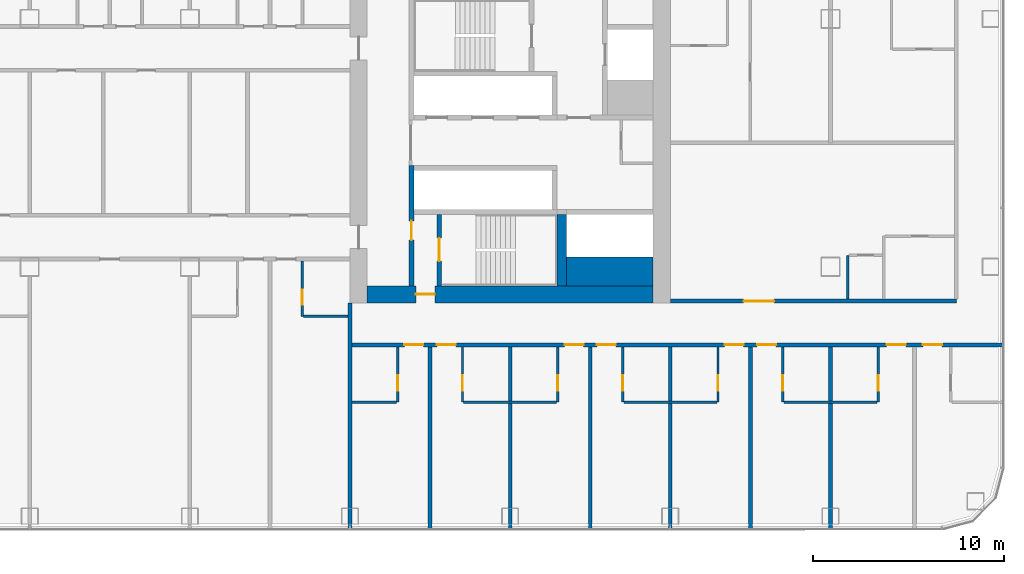
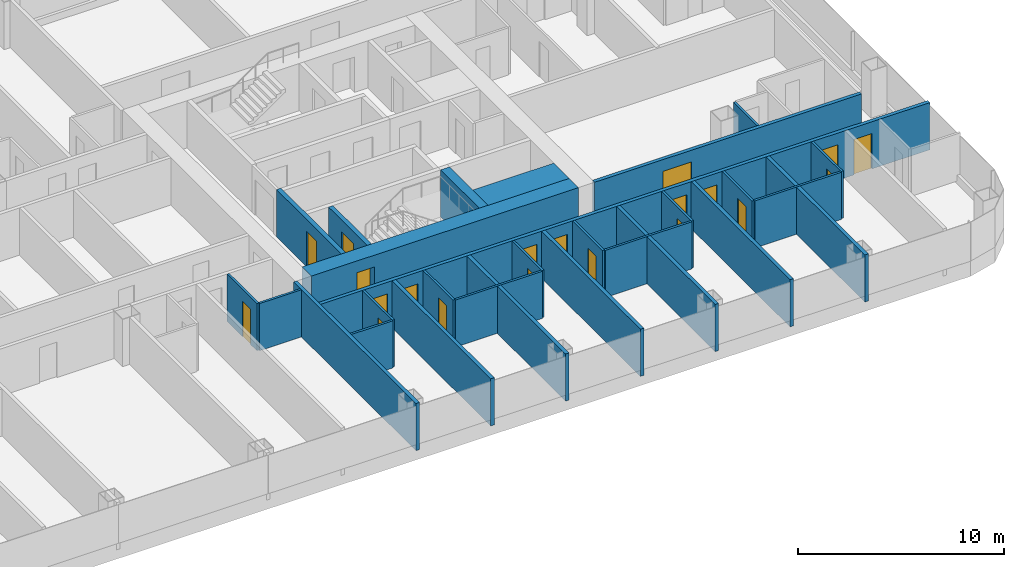
# One storey, part 18 of 29: 28 walls, 20 doors, 20 openings.
"""IFC4 building model written with IfcOpenShell, lengths in metres."""

from ifc_helpers import new_model, si_unit, direction, frame, frame_2d, origin, place, context, subcontext, project, spatial, rectangle, extrude, material, layer, layer_set, type_object, element, fill, save


model = new_model("IFC4")

# Units and contexts
model_context = context("Model", 3, precision=1e-05, world=origin(), true_north=direction((0.0, 1.0)))
body_context = subcontext(model_context, "Body", "Model", "MODEL_VIEW")
ifc_project = project(units=[si_unit("LENGTHUNIT", "METRE"), si_unit("AREAUNIT", "SQUARE_METRE"), si_unit("VOLUMEUNIT", "CUBIC_METRE"), si_unit("PLANEANGLEUNIT", "RADIAN"), si_unit("MASSUNIT", "GRAM", prefix="KILO")], contexts=[model_context])

# Site, building, storey
site_placement = place(None, origin())
site = spatial("IfcSite", under=ifc_project, at=site_placement, CompositionType="ELEMENT")
building_placement = place(site_placement, origin())
building = spatial("IfcBuilding", under=site, at=building_placement, Name="Hakoniwa Tower and Hamabe Station Hall", CompositionType="ELEMENT")
storey_placement = place(building_placement, frame((0.0, 0.0, 23.0)))
storey = spatial("IfcBuildingStorey", under=building, at=storey_placement, Name="L05", CompositionType="ELEMENT", Elevation=23.0)

# Walls
ifc_material_1 = material(Name="Gypsum board partition", Category="gypsum")
ifc_layer_1 = layer(ifc_material_1, 0.125)
ifc_layer_set_1 = layer_set([ifc_layer_1], Name="Bathroom Partition 125")
wall_type_1 = type_object("IfcWallType", Name="Bathroom Partition 125", PredefinedType="PARTITIONING", material=ifc_layer_set_1)
wall_1_placement = place(storey_placement, frame((16.89990234375, -13.60009765625, 0.0), z_axis=(0.0, 0.0, 1.0), x_axis=(1.0, 0.0, 0.0)))
element("IfcWall", 1, at=wall_1_placement, inside=storey, type_object=wall_type_1, Name="GW-L05-006", PredefinedType="PARTITIONING", context=body_context, shape_type="SweptSolid", body=[
    extrude(rectangle(XDim=2.337646484375, YDim=0.125, at=frame_2d((1.1689453125, 0.0))), origin(), (0.0, 0.0, 1.0), 2.800048828125),
])
for number, where, z_axis, x_axis, name in (
    (2, (22.762451171875, -13.60009765625, 0.0), (0.0, 0.0, 1.0), (1.0, 0.0, 0.0), "GW-L05-007"),
    (3, (31.16259765625, -13.60009765625, 0.0), (0.0, 0.0, 1.0), (1.0, 0.0, 0.0), "GW-L05-008"),
    (4, (39.5625, -13.60009765625, 0.0), (0.0, 0.0, 1.0), (1.0, 0.0, 0.0), "GW-L05-009"),
):
    element("IfcWall", number, at=place(storey_placement, frame(where, z_axis=z_axis, x_axis=x_axis)), inside=storey, type_object=wall_type_1, Name=name, PredefinedType="PARTITIONING", context=body_context, shape_type="SweptSolid", body=[
        extrude(rectangle(XDim=4.875, YDim=0.125, at=frame_2d((2.4375, 0.0))), origin(), (0.0, 0.0, 1.0), 2.800048828125),
    ])
wall_2_placement = place(storey_placement, frame((14.362548828125, -9.10009765625, 0.0), z_axis=(0.0, 0.0, 1.0), x_axis=(1.0, 0.0, 0.0)))
element("IfcWall", 5, at=wall_2_placement, inside=storey, type_object=wall_type_1, Name="GW-L05-017", PredefinedType="PARTITIONING", context=body_context, shape_type="SweptSolid", body=[
    extrude(rectangle(XDim=2.33740234375, YDim=0.125, at=frame_2d((1.168701171875, 0.0))), origin(), (0.0, 0.0, 1.0), 2.800048828125),
])

# Wall, opening, door
wall_3_placement = place(storey_placement, frame((14.300048828125, -9.10009765625, 0.0), z_axis=(0.0, 0.0, 1.0), x_axis=(0.0, 1.0, 0.0)))
wall_3 = element("IfcWall", 6, at=wall_3_placement, inside=storey, type_object=wall_type_1, Name="GW-L05-111", PredefinedType="PARTITIONING", context=body_context, shape_type="SweptSolid", body=[
    extrude(rectangle(XDim=2.900146484375, YDim=0.125, at=frame_2d((1.4501953125, 0.0))), origin(), (0.0, 0.0, 1.0), 2.800048828125),
])
opening_1_placement = place(wall_3_placement, frame((0.60009765625, 0.0, 0.0)))
opening_1 = element("IfcOpeningElement", 7, at=opening_1_placement, cuts=wall_3, Name="Opening GD-G1B0-88", PredefinedType="OPENING", context=body_context, shape_type="SweptSolid", body=[
    extrude(rectangle(XDim=0.800048828125, YDim=2.10009765625, at=frame_2d((0.39990234375, 1.050048828125))), frame((0.0, 0.072509765625, 0.0), z_axis=(0.0, -1.0, 0.0), x_axis=(1.0, 0.0, 0.0)), (0.0, 0.0, 1.0), 0.14501953125),
])
ifc_material_2 = material(Name="Timber door leaf", Category="wood")
door_type_1 = type_object("IfcDoorType", Name="Bathroom Door 800", OperationType="SINGLE_SWING_LEFT", PredefinedType="DOOR", material=ifc_material_2)
door_1_placement = place(opening_1_placement, origin())
door_1 = element("IfcDoor", 8, at=door_1_placement, inside=storey, type_object=door_type_1, Name="Door GD-G1B0-88", OperationType="SINGLE_SWING_LEFT", OverallHeight=2.10009765625, OverallWidth=0.800048828125, PredefinedType="DOOR", context=body_context, shape_type="SweptSolid", body=[
    extrude(rectangle(XDim=0.800048828125, YDim=2.10009765625, at=frame_2d((0.39990234375, 1.050048828125))), frame((0.0, 0.02490234375, 0.0), z_axis=(0.0, -1.0, 0.0), x_axis=(1.0, 0.0, 0.0)), (0.0, 0.0, 1.0), 0.050048828125),
])
fill(opening_1, door_1)

wall_4_placement = place(storey_placement, frame((19.300048828125, -13.60009765625, 0.0), z_axis=(0.0, 0.0, 1.0), x_axis=(0.0, 1.0, 0.0)))
wall_4 = element("IfcWall", 9, at=wall_4_placement, inside=storey, type_object=wall_type_1, Name="GW-L05-115", PredefinedType="PARTITIONING", context=body_context, shape_type="SweptSolid", body=[
    extrude(rectangle(XDim=2.900146484375, YDim=0.125, at=frame_2d((1.4501953125, 0.0))), origin(), (0.0, 0.0, 1.0), 2.800048828125),
])
opening_2_placement = place(wall_4_placement, frame((0.60009765625, 0.0, 0.0)))
opening_2 = element("IfcOpeningElement", 10, at=opening_2_placement, cuts=wall_4, Name="Opening GD-G1B0-90", PredefinedType="OPENING", context=body_context, shape_type="SweptSolid", body=[
    extrude(rectangle(XDim=0.800048828125, YDim=2.10009765625, at=frame_2d((0.39990234375, 1.050048828125))), frame((0.0, 0.072509765625, 0.0), z_axis=(0.0, -1.0, 0.0), x_axis=(1.0, 0.0, 0.0)), (0.0, 0.0, 1.0), 0.14501953125),
])
door_2_placement = place(opening_2_placement, origin())
door_2 = element("IfcDoor", 11, at=door_2_placement, inside=storey, type_object=door_type_1, Name="Door GD-G1B0-90", OperationType="SINGLE_SWING_RIGHT", OverallHeight=2.10009765625, OverallWidth=0.800048828125, PredefinedType="DOOR", context=body_context, shape_type="SweptSolid", body=[
    extrude(rectangle(XDim=0.800048828125, YDim=2.10009765625, at=frame_2d((0.39990234375, 1.050048828125))), frame((0.0, 0.02490234375, 0.0), z_axis=(0.0, -1.0, 0.0), x_axis=(1.0, 0.0, 0.0)), (0.0, 0.0, 1.0), 0.050048828125),
])
fill(opening_2, door_2)

wall_5_placement = place(storey_placement, frame((22.699951171875, -13.60009765625, 0.0), z_axis=(0.0, 0.0, 1.0), x_axis=(0.0, 1.0, 0.0)))
wall_5 = element("IfcWall", 12, at=wall_5_placement, inside=storey, type_object=wall_type_1, Name="GW-L05-117", PredefinedType="PARTITIONING", context=body_context, shape_type="SweptSolid", body=[
    extrude(rectangle(XDim=2.900146484375, YDim=0.125, at=frame_2d((1.4501953125, 0.0))), origin(), (0.0, 0.0, 1.0), 2.800048828125),
])
opening_3_placement = place(wall_5_placement, frame((0.60009765625, 0.0, 0.0)))
opening_3 = element("IfcOpeningElement", 13, at=opening_3_placement, cuts=wall_5, Name="Opening GD-G1B0-91", PredefinedType="OPENING", context=body_context, shape_type="SweptSolid", body=[
    extrude(rectangle(XDim=0.800048828125, YDim=2.10009765625, at=frame_2d((0.39990234375, 1.050048828125))), frame((0.0, 0.072509765625, 0.0), z_axis=(0.0, -1.0, 0.0), x_axis=(1.0, 0.0, 0.0)), (0.0, 0.0, 1.0), 0.14501953125),
])
door_3_placement = place(opening_3_placement, origin())
door_3 = element("IfcDoor", 14, at=door_3_placement, inside=storey, type_object=door_type_1, Name="Door GD-G1B0-91", OperationType="SINGLE_SWING_LEFT", OverallHeight=2.10009765625, OverallWidth=0.800048828125, PredefinedType="DOOR", context=body_context, shape_type="SweptSolid", body=[
    extrude(rectangle(XDim=0.800048828125, YDim=2.10009765625, at=frame_2d((0.39990234375, 1.050048828125))), frame((0.0, 0.02490234375, 0.0), z_axis=(0.0, -1.0, 0.0), x_axis=(1.0, 0.0, 0.0)), (0.0, 0.0, 1.0), 0.050048828125),
])
fill(opening_3, door_3)

wall_6_placement = place(storey_placement, frame((27.699951171875, -13.60009765625, 0.0), z_axis=(0.0, 0.0, 1.0), x_axis=(0.0, 1.0, 0.0)))
wall_6 = element("IfcWall", 15, at=wall_6_placement, inside=storey, type_object=wall_type_1, Name="GW-L05-120", PredefinedType="PARTITIONING", context=body_context, shape_type="SweptSolid", body=[
    extrude(rectangle(XDim=2.900146484375, YDim=0.125, at=frame_2d((1.4501953125, 0.0))), origin(), (0.0, 0.0, 1.0), 2.800048828125),
])
opening_4_placement = place(wall_6_placement, frame((0.60009765625, 0.0, 0.0)))
opening_4 = element("IfcOpeningElement", 16, at=opening_4_placement, cuts=wall_6, Name="Opening GD-G1B0-92", PredefinedType="OPENING", context=body_context, shape_type="SweptSolid", body=[
    extrude(rectangle(XDim=0.800048828125, YDim=2.10009765625, at=frame_2d((0.39990234375, 1.050048828125))), frame((0.0, 0.072509765625, 0.0), z_axis=(0.0, -1.0, 0.0), x_axis=(1.0, 0.0, 0.0)), (0.0, 0.0, 1.0), 0.14501953125),
])
door_4_placement = place(opening_4_placement, origin())
door_4 = element("IfcDoor", 17, at=door_4_placement, inside=storey, type_object=door_type_1, Name="Door GD-G1B0-92", OperationType="SINGLE_SWING_RIGHT", OverallHeight=2.10009765625, OverallWidth=0.800048828125, PredefinedType="DOOR", context=body_context, shape_type="SweptSolid", body=[
    extrude(rectangle(XDim=0.800048828125, YDim=2.10009765625, at=frame_2d((0.39990234375, 1.050048828125))), frame((0.0, 0.02490234375, 0.0), z_axis=(0.0, -1.0, 0.0), x_axis=(1.0, 0.0, 0.0)), (0.0, 0.0, 1.0), 0.050048828125),
])
fill(opening_4, door_4)

wall_7_placement = place(storey_placement, frame((31.10009765625, -13.60009765625, 0.0), z_axis=(0.0, 0.0, 1.0), x_axis=(0.0, 1.0, 0.0)))
wall_7 = element("IfcWall", 18, at=wall_7_placement, inside=storey, type_object=wall_type_1, Name="GW-L05-122", PredefinedType="PARTITIONING", context=body_context, shape_type="SweptSolid", body=[
    extrude(rectangle(XDim=2.900146484375, YDim=0.125, at=frame_2d((1.4501953125, 0.0))), origin(), (0.0, 0.0, 1.0), 2.800048828125),
])
opening_5_placement = place(wall_7_placement, frame((0.60009765625, 0.0, 0.0)))
opening_5 = element("IfcOpeningElement", 19, at=opening_5_placement, cuts=wall_7, Name="Opening GD-G1B0-93", PredefinedType="OPENING", context=body_context, shape_type="SweptSolid", body=[
    extrude(rectangle(XDim=0.800048828125, YDim=2.10009765625, at=frame_2d((0.39990234375, 1.050048828125))), frame((0.0, 0.072509765625, 0.0), z_axis=(0.0, -1.0, 0.0), x_axis=(1.0, 0.0, 0.0)), (0.0, 0.0, 1.0), 0.14501953125),
])
door_5_placement = place(opening_5_placement, origin())
door_5 = element("IfcDoor", 20, at=door_5_placement, inside=storey, type_object=door_type_1, Name="Door GD-G1B0-93", OperationType="SINGLE_SWING_LEFT", OverallHeight=2.10009765625, OverallWidth=0.800048828125, PredefinedType="DOOR", context=body_context, shape_type="SweptSolid", body=[
    extrude(rectangle(XDim=0.800048828125, YDim=2.10009765625, at=frame_2d((0.39990234375, 1.050048828125))), frame((0.0, 0.02490234375, 0.0), z_axis=(0.0, -1.0, 0.0), x_axis=(1.0, 0.0, 0.0)), (0.0, 0.0, 1.0), 0.050048828125),
])
fill(opening_5, door_5)

wall_8_placement = place(storey_placement, frame((36.10009765625, -13.60009765625, 0.0), z_axis=(0.0, 0.0, 1.0), x_axis=(0.0, 1.0, 0.0)))
wall_8 = element("IfcWall", 21, at=wall_8_placement, inside=storey, type_object=wall_type_1, Name="GW-L05-125", PredefinedType="PARTITIONING", context=body_context, shape_type="SweptSolid", body=[
    extrude(rectangle(XDim=2.900146484375, YDim=0.125, at=frame_2d((1.4501953125, 0.0))), origin(), (0.0, 0.0, 1.0), 2.800048828125),
])
opening_6_placement = place(wall_8_placement, frame((0.60009765625, 0.0, 0.0)))
opening_6 = element("IfcOpeningElement", 22, at=opening_6_placement, cuts=wall_8, Name="Opening GD-G1B0-94", PredefinedType="OPENING", context=body_context, shape_type="SweptSolid", body=[
    extrude(rectangle(XDim=0.800048828125, YDim=2.10009765625, at=frame_2d((0.39990234375, 1.050048828125))), frame((0.0, 0.072509765625, 0.0), z_axis=(0.0, -1.0, 0.0), x_axis=(1.0, 0.0, 0.0)), (0.0, 0.0, 1.0), 0.14501953125),
])
door_6_placement = place(opening_6_placement, origin())
door_6 = element("IfcDoor", 23, at=door_6_placement, inside=storey, type_object=door_type_1, Name="Door GD-G1B0-94", OperationType="SINGLE_SWING_RIGHT", OverallHeight=2.10009765625, OverallWidth=0.800048828125, PredefinedType="DOOR", context=body_context, shape_type="SweptSolid", body=[
    extrude(rectangle(XDim=0.800048828125, YDim=2.10009765625, at=frame_2d((0.39990234375, 1.050048828125))), frame((0.0, 0.02490234375, 0.0), z_axis=(0.0, -1.0, 0.0), x_axis=(1.0, 0.0, 0.0)), (0.0, 0.0, 1.0), 0.050048828125),
])
fill(opening_6, door_6)

wall_9_placement = place(storey_placement, frame((39.5, -13.60009765625, 0.0), z_axis=(0.0, 0.0, 1.0), x_axis=(0.0, 1.0, 0.0)))
wall_9 = element("IfcWall", 24, at=wall_9_placement, inside=storey, type_object=wall_type_1, Name="GW-L05-129", PredefinedType="PARTITIONING", context=body_context, shape_type="SweptSolid", body=[
    extrude(rectangle(XDim=2.900146484375, YDim=0.125, at=frame_2d((1.4501953125, 0.0))), origin(), (0.0, 0.0, 1.0), 2.800048828125),
])
opening_7_placement = place(wall_9_placement, frame((0.60009765625, 0.0, 0.0)))
opening_7 = element("IfcOpeningElement", 25, at=opening_7_placement, cuts=wall_9, Name="Opening GD-G1B0-96", PredefinedType="OPENING", context=body_context, shape_type="SweptSolid", body=[
    extrude(rectangle(XDim=0.800048828125, YDim=2.10009765625, at=frame_2d((0.39990234375, 1.050048828125))), frame((0.0, 0.072509765625, 0.0), z_axis=(0.0, -1.0, 0.0), x_axis=(1.0, 0.0, 0.0)), (0.0, 0.0, 1.0), 0.14501953125),
])
door_7_placement = place(opening_7_placement, origin())
door_7 = element("IfcDoor", 26, at=door_7_placement, inside=storey, type_object=door_type_1, Name="Door GD-G1B0-96", OperationType="SINGLE_SWING_LEFT", OverallHeight=2.10009765625, OverallWidth=0.800048828125, PredefinedType="DOOR", context=body_context, shape_type="SweptSolid", body=[
    extrude(rectangle(XDim=0.800048828125, YDim=2.10009765625, at=frame_2d((0.39990234375, 1.050048828125))), frame((0.0, 0.02490234375, 0.0), z_axis=(0.0, -1.0, 0.0), x_axis=(1.0, 0.0, 0.0)), (0.0, 0.0, 1.0), 0.050048828125),
])
fill(opening_7, door_7)

# Wall
wall_10_placement = place(storey_placement, frame((42.89990234375, -8.199951171875, 0.0), z_axis=(0.0, 0.0, 1.0), x_axis=(0.0, 1.0, 0.0)))
element("IfcWall", 27, at=wall_10_placement, inside=storey, type_object=wall_type_1, Name="GW-L05-133", PredefinedType="PARTITIONING", context=body_context, shape_type="SweptSolid", body=[
    extrude(rectangle(XDim=2.300048828125, YDim=0.125, at=frame_2d((1.14990234375, 0.0))), origin(), (0.0, 0.0, 1.0), 2.800048828125),
])

# Wall, opening, door
wall_11_placement = place(storey_placement, frame((44.5, -13.60009765625, 0.0), z_axis=(0.0, 0.0, 1.0), x_axis=(0.0, 1.0, 0.0)))
wall_11 = element("IfcWall", 28, at=wall_11_placement, inside=storey, type_object=wall_type_1, Name="GW-L05-134", PredefinedType="PARTITIONING", context=body_context, shape_type="SweptSolid", body=[
    extrude(rectangle(XDim=2.900146484375, YDim=0.125, at=frame_2d((1.4501953125, 0.0))), origin(), (0.0, 0.0, 1.0), 2.800048828125),
])
opening_8_placement = place(wall_11_placement, frame((0.60009765625, 0.0, 0.0)))
opening_8 = element("IfcOpeningElement", 29, at=opening_8_placement, cuts=wall_11, Name="Opening GD-G1B0-97", PredefinedType="OPENING", context=body_context, shape_type="SweptSolid", body=[
    extrude(rectangle(XDim=0.800048828125, YDim=2.10009765625, at=frame_2d((0.39990234375, 1.050048828125))), frame((0.0, 0.072509765625, 0.0), z_axis=(0.0, -1.0, 0.0), x_axis=(1.0, 0.0, 0.0)), (0.0, 0.0, 1.0), 0.14501953125),
])
door_8_placement = place(opening_8_placement, origin())
door_8 = element("IfcDoor", 30, at=door_8_placement, inside=storey, type_object=door_type_1, Name="Door GD-G1B0-97", OperationType="SINGLE_SWING_RIGHT", OverallHeight=2.10009765625, OverallWidth=0.800048828125, PredefinedType="DOOR", context=body_context, shape_type="SweptSolid", body=[
    extrude(rectangle(XDim=0.800048828125, YDim=2.10009765625, at=frame_2d((0.39990234375, 1.050048828125))), frame((0.0, 0.02490234375, 0.0), z_axis=(0.0, -1.0, 0.0), x_axis=(1.0, 0.0, 0.0)), (0.0, 0.0, 1.0), 0.050048828125),
])
fill(opening_8, door_8)

ifc_material_3 = material(Name="Concrete C80", Category="concrete")
ifc_layer_2 = layer(ifc_material_3, 0.89990234375)
ifc_layer_set_2 = layer_set([ifc_layer_2], Name="CORE WALL 900 C80")
wall_type_2 = type_object("IfcWallType", Name="CORE WALL 900 C80", PredefinedType="SHEAR", material=ifc_layer_set_2)
wall_12_placement = place(storey_placement, frame((17.699951171875, -7.949951171875, 0.0), z_axis=(0.0, 0.0, 1.0), x_axis=(1.0, 0.0, 0.0)))
wall_12 = element("IfcWall", 31, at=wall_12_placement, inside=storey, type_object=wall_type_2, Name="Core wall SOUTH east", PredefinedType="SHEAR", context=body_context, shape_type="SweptSolid", body=[
    extrude(rectangle(XDim=15.0, YDim=0.89990234375, at=frame_2d((7.5, 0.0))), origin(), (0.0, 0.0, 1.0), 2.800048828125),
])
opening_9_placement = place(wall_12_placement, frame((2.550048828125, 0.0, 0.0)))
opening_9 = element("IfcOpeningElement", 32, at=opening_9_placement, cuts=wall_12, Name="Opening CD-E-FS3-10", PredefinedType="OPENING", context=body_context, shape_type="SweptSolid", body=[
    extrude(rectangle(XDim=1.0, YDim=2.10009765625, at=frame_2d((0.5, 1.050048828125))), frame((0.0, 0.4599609375, 0.0), z_axis=(0.0, -1.0, 0.0), x_axis=(1.0, 0.0, 0.0)), (0.0, 0.0, 1.0), 0.919921875),
])
ifc_material_4 = material(Name="Steel fire door", Category="steel")
door_type_2 = type_object("IfcDoorType", Name="CORE DOOR 1000 FD60", OperationType="NOTDEFINED", PredefinedType="DOOR", material=ifc_material_4)
door_9_placement = place(opening_9_placement, origin())
door_9 = element("IfcDoor", 33, at=door_9_placement, inside=storey, type_object=door_type_2, Name="Stair vestibule door", OperationType="SINGLE_SWING_LEFT", OverallHeight=2.10009765625, OverallWidth=1.0, PredefinedType="DOOR", context=body_context, shape_type="SweptSolid", body=[
    extrude(rectangle(XDim=1.0, YDim=2.10009765625, at=frame_2d((0.5, 1.050048828125))), frame((0.0, 0.02490234375, 0.0), z_axis=(0.0, -1.0, 0.0), x_axis=(1.0, 0.0, 0.0)), (0.0, 0.0, 1.0), 0.050048828125),
])
fill(opening_9, door_9)

# Wall
ifc_material_5 = material(Name="Concrete C80", Category="concrete")
ifc_layer_3 = layer(ifc_material_5, 1.5)
ifc_layer_set_3 = layer_set([ifc_layer_3], Name="CORE WEB WALL 1500 C80")
wall_type_3 = type_object("IfcWallType", Name="CORE WEB WALL 1500 C80", PredefinedType="SHEAR", material=ifc_layer_set_3)
wall_13_placement = place(storey_placement, frame((28.14990234375, -6.75, 0.0), z_axis=(0.0, 0.0, 1.0), x_axis=(1.0, 0.0, 0.0)))
element("IfcWall", 34, at=wall_13_placement, inside=storey, type_object=wall_type_3, Name="Core wall SER east", PredefinedType="SHEAR", context=body_context, shape_type="SweptSolid", body=[
    extrude(rectangle(XDim=4.550048828125, YDim=1.5, at=frame_2d((2.27490234375, 0.0))), origin(), (0.0, 0.0, 1.0), 2.800048828125),
])

# Wall, opening, door
ifc_material_6 = material(Name="Concrete C80", Category="concrete")
ifc_layer_4 = layer(ifc_material_6, 0.25)
ifc_layer_set_4 = layer_set([ifc_layer_4], Name="CORE WEB WALL 250 C80")
wall_type_4 = type_object("IfcWallType", Name="CORE WEB WALL 250 C80", PredefinedType="SHEAR", material=ifc_layer_set_4)
wall_14_placement = place(storey_placement, frame((20.02490234375, -7.5, 0.0), z_axis=(0.0, 0.0, 1.0), x_axis=(0.0, 1.0, 0.0)))
wall_14 = element("IfcWall", 35, at=wall_14_placement, inside=storey, type_object=wall_type_4, Name="Core wall W1S east", PredefinedType="SHEAR", context=body_context, shape_type="SweptSolid", body=[
    extrude(rectangle(XDim=6.300048828125, YDim=0.25, at=frame_2d((3.14990234375, 0.0))), origin(), (0.0, 0.0, 1.0), 2.800048828125),
])
opening_10_placement = place(wall_14_placement, frame((2.39990234375, 0.0, 0.0)))
opening_10 = element("IfcOpeningElement", 36, at=opening_10_placement, cuts=wall_14, Name="Opening CD-E-VS-10", PredefinedType="OPENING", context=body_context, shape_type="SweptSolid", body=[
    extrude(rectangle(XDim=1.0, YDim=2.10009765625, at=frame_2d((0.5, 1.050048828125))), frame((0.0, 0.135009765625, 0.0), z_axis=(0.0, -1.0, 0.0), x_axis=(1.0, 0.0, 0.0)), (0.0, 0.0, 1.0), 0.27001953125),
])
door_10_placement = place(opening_10_placement, origin())
door_10 = element("IfcDoor", 37, at=door_10_placement, inside=storey, type_object=door_type_2, Name="Stair vestibule door", OperationType="SINGLE_SWING_RIGHT", OverallHeight=2.10009765625, OverallWidth=1.0, PredefinedType="DOOR", context=body_context, shape_type="SweptSolid", body=[
    extrude(rectangle(XDim=1.0, YDim=2.10009765625, at=frame_2d((0.5, 1.050048828125))), frame((0.0, 0.02490234375, 0.0), z_axis=(0.0, -1.0, 0.0), x_axis=(1.0, 0.0, 0.0)), (0.0, 0.0, 1.0), 0.050048828125),
])
fill(opening_10, door_10)

wall_15_placement = place(storey_placement, frame((21.47509765625, -7.5, 0.0), z_axis=(0.0, 0.0, 1.0), x_axis=(0.0, 1.0, 0.0)))
wall_15 = element("IfcWall", 38, at=wall_15_placement, inside=storey, type_object=wall_type_4, Name="Core wall VE east", PredefinedType="SHEAR", context=body_context, shape_type="SweptSolid", body=[
    extrude(rectangle(XDim=3.75, YDim=0.25, at=frame_2d((1.875, 0.0))), origin(), (0.0, 0.0, 1.0), 2.800048828125),
])
opening_11_placement = place(wall_15_placement, frame((1.300048828125, 0.0, 0.0)))
opening_11 = element("IfcOpeningElement", 39, at=opening_11_placement, cuts=wall_15, Name="Opening CD-E-SS-12", PredefinedType="OPENING", context=body_context, shape_type="SweptSolid", body=[
    extrude(rectangle(XDim=1.199951171875, YDim=2.10009765625, at=frame_2d((0.60009765625, 1.050048828125))), frame((0.0, 0.135009765625, 0.0), z_axis=(0.0, -1.0, 0.0), x_axis=(1.0, 0.0, 0.0)), (0.0, 0.0, 1.0), 0.27001953125),
])
ifc_material_7 = material(Name="Steel fire door", Category="steel")
door_type_3 = type_object("IfcDoorType", Name="CORE DOOR 1200 FD60", OperationType="DOUBLE_DOOR_SINGLE_SWING", PredefinedType="DOOR", material=ifc_material_7)
door_11_placement = place(opening_11_placement, origin())
door_11 = element("IfcDoor", 40, at=door_11_placement, inside=storey, type_object=door_type_3, Name="Escape stair door", OperationType="DOUBLE_DOOR_SINGLE_SWING", OverallHeight=2.10009765625, OverallWidth=1.199951171875, PredefinedType="DOOR", context=body_context, shape_type="SweptSolid", body=[
    extrude(rectangle(XDim=1.199951171875, YDim=2.10009765625, at=frame_2d((0.60009765625, 1.050048828125))), frame((0.0, 0.02490234375, 0.0), z_axis=(0.0, -1.0, 0.0), x_axis=(1.0, 0.0, 0.0)), (0.0, 0.0, 1.0), 0.050048828125),
])
fill(opening_11, door_11)

# Wall
ifc_material_8 = material(Name="Concrete C80", Category="concrete")
ifc_layer_5 = layer(ifc_material_8, 0.5)
ifc_layer_set_5 = layer_set([ifc_layer_5], Name="CORE WEB WALL 500 C80")
wall_type_5 = type_object("IfcWallType", Name="CORE WEB WALL 500 C80", PredefinedType="SHEAR", material=ifc_layer_set_5)
wall_16_placement = place(storey_placement, frame((27.89990234375, -7.5, 0.0), z_axis=(0.0, 0.0, 1.0), x_axis=(0.0, 1.0, 0.0)))
element("IfcWall", 41, at=wall_16_placement, inside=storey, type_object=wall_type_5, Name="Core wall SSE east", PredefinedType="SHEAR", context=body_context, shape_type="SweptSolid", body=[
    extrude(rectangle(XDim=3.75, YDim=0.5, at=frame_2d((1.875, 0.0))), origin(), (0.0, 0.0, 1.0), 2.800048828125),
])

# Wall, openings, doors
ifc_material_9 = material(Name="Fire-rated gypsum board partition", Category="gypsum")
ifc_layer_6 = layer(ifc_material_9, 0.199951171875)
ifc_layer_set_6 = layer_set([ifc_layer_6], Name="Corridor Wall 200")
wall_type_6 = type_object("IfcWallType", Name="Corridor Wall 200", PredefinedType="PARTITIONING", material=ifc_layer_set_6)
wall_17_placement = place(storey_placement, frame((16.800048828125, -10.60009765625, 0.0), z_axis=(0.0, 0.0, 1.0), x_axis=(1.0, 0.0, 0.0)))
wall_17 = element("IfcWall", 42, at=wall_17_placement, inside=storey, type_object=wall_type_6, Name="GW-L05-012", PredefinedType="PARTITIONING", context=body_context, shape_type="SweptSolid", body=[
    extrude(rectangle(XDim=34.300048828125, YDim=0.199951171875, at=frame_2d((17.14990234375, 0.0))), origin(), (0.0, 0.0, 1.0), 2.800048828125),
])
opening_12_placement = place(wall_17_placement, frame((2.85009765625, 0.0, 0.0)))
opening_12 = element("IfcOpeningElement", 43, at=opening_12_placement, cuts=wall_17, Name="Opening GD-G1B0-08", PredefinedType="OPENING", context=body_context, shape_type="SweptSolid", body=[
    extrude(rectangle(XDim=1.0, YDim=2.10009765625, at=frame_2d((0.5, 1.050048828125))), frame((0.0, 0.10986328125, 0.0), z_axis=(0.0, -1.0, 0.0), x_axis=(1.0, 0.0, 0.0)), (0.0, 0.0, 1.0), 0.219970703125),
])
opening_13_placement = place(wall_17_placement, frame((4.550048828125, 0.0, 0.0)))
opening_13 = element("IfcOpeningElement", 44, at=opening_13_placement, cuts=wall_17, Name="Opening GD-G1B0-09", PredefinedType="OPENING", context=body_context, shape_type="SweptSolid", body=[
    extrude(rectangle(XDim=1.0, YDim=2.10009765625, at=frame_2d((0.5, 1.050048828125))), frame((0.0, 0.10986328125, 0.0), z_axis=(0.0, -1.0, 0.0), x_axis=(1.0, 0.0, 0.0)), (0.0, 0.0, 1.0), 0.219970703125),
])
opening_14_placement = place(wall_17_placement, frame((11.25, 0.0, 0.0)))
opening_14 = element("IfcOpeningElement", 45, at=opening_14_placement, cuts=wall_17, Name="Opening GD-G1B0-10", PredefinedType="OPENING", context=body_context, shape_type="SweptSolid", body=[
    extrude(rectangle(XDim=1.0, YDim=2.10009765625, at=frame_2d((0.5, 1.050048828125))), frame((0.0, 0.10986328125, 0.0), z_axis=(0.0, -1.0, 0.0), x_axis=(1.0, 0.0, 0.0)), (0.0, 0.0, 1.0), 0.219970703125),
])
opening_15_placement = place(wall_17_placement, frame((12.949951171875, 0.0, 0.0)))
opening_15 = element("IfcOpeningElement", 46, at=opening_15_placement, cuts=wall_17, Name="Opening GD-G1B0-11", PredefinedType="OPENING", context=body_context, shape_type="SweptSolid", body=[
    extrude(rectangle(XDim=1.0, YDim=2.10009765625, at=frame_2d((0.5, 1.050048828125))), frame((0.0, 0.10986328125, 0.0), z_axis=(0.0, -1.0, 0.0), x_axis=(1.0, 0.0, 0.0)), (0.0, 0.0, 1.0), 0.219970703125),
])
opening_16_placement = place(wall_17_placement, frame((19.64990234375, 0.0, 0.0)))
opening_16 = element("IfcOpeningElement", 47, at=opening_16_placement, cuts=wall_17, Name="Opening GD-G1B0-12", PredefinedType="OPENING", context=body_context, shape_type="SweptSolid", body=[
    extrude(rectangle(XDim=1.0, YDim=2.10009765625, at=frame_2d((0.5, 1.050048828125))), frame((0.0, 0.10986328125, 0.0), z_axis=(0.0, -1.0, 0.0), x_axis=(1.0, 0.0, 0.0)), (0.0, 0.0, 1.0), 0.219970703125),
])
opening_17_placement = place(wall_17_placement, frame((21.35009765625, 0.0, 0.0)))
opening_17 = element("IfcOpeningElement", 48, at=opening_17_placement, cuts=wall_17, Name="Opening GD-G1B0-13", PredefinedType="OPENING", context=body_context, shape_type="SweptSolid", body=[
    extrude(rectangle(XDim=1.0, YDim=2.10009765625, at=frame_2d((0.5, 1.050048828125))), frame((0.0, 0.10986328125, 0.0), z_axis=(0.0, -1.0, 0.0), x_axis=(1.0, 0.0, 0.0)), (0.0, 0.0, 1.0), 0.219970703125),
])
opening_18_placement = place(wall_17_placement, frame((28.14990234375, 0.0, 0.0)))
opening_18 = element("IfcOpeningElement", 49, at=opening_18_placement, cuts=wall_17, Name="Opening GD-G1B0-14", PredefinedType="OPENING", context=body_context, shape_type="SweptSolid", body=[
    extrude(rectangle(XDim=1.0, YDim=2.10009765625, at=frame_2d((0.5, 1.050048828125))), frame((0.0, 0.10986328125, 0.0), z_axis=(0.0, -1.0, 0.0), x_axis=(1.0, 0.0, 0.0)), (0.0, 0.0, 1.0), 0.219970703125),
])
opening_19_placement = place(wall_17_placement, frame((30.050048828125, 0.0, 0.0)))
opening_19 = element("IfcOpeningElement", 50, at=opening_19_placement, cuts=wall_17, Name="Opening GD-G1B0-15", PredefinedType="OPENING", context=body_context, shape_type="SweptSolid", body=[
    extrude(rectangle(XDim=1.0, YDim=2.10009765625, at=frame_2d((0.5, 1.050048828125))), frame((0.0, 0.10986328125, 0.0), z_axis=(0.0, -1.0, 0.0), x_axis=(1.0, 0.0, 0.0)), (0.0, 0.0, 1.0), 0.219970703125),
])
ifc_material_10 = material(Name="Timber door leaf", Category="wood")
door_type_4 = type_object("IfcDoorType", Name="Guest Entrance Door 1000", OperationType="SINGLE_SWING_LEFT", PredefinedType="DOOR", material=ifc_material_10)
door_12_placement = place(opening_12_placement, origin())
door_12 = element("IfcDoor", 51, at=door_12_placement, inside=storey, type_object=door_type_4, Name="Door GD-G1B0-08", OperationType="SINGLE_SWING_RIGHT", OverallHeight=2.10009765625, OverallWidth=1.0, PredefinedType="DOOR", context=body_context, shape_type="SweptSolid", body=[
    extrude(rectangle(XDim=1.0, YDim=2.10009765625, at=frame_2d((0.5, 1.050048828125))), frame((0.0, 0.02490234375, 0.0), z_axis=(0.0, -1.0, 0.0), x_axis=(1.0, 0.0, 0.0)), (0.0, 0.0, 1.0), 0.050048828125),
])
fill(opening_12, door_12)
door_13_placement = place(opening_13_placement, origin())
door_13 = element("IfcDoor", 52, at=door_13_placement, inside=storey, type_object=door_type_4, Name="Door GD-G1B0-09", OperationType="SINGLE_SWING_LEFT", OverallHeight=2.10009765625, OverallWidth=1.0, PredefinedType="DOOR", context=body_context, shape_type="SweptSolid", body=[
    extrude(rectangle(XDim=1.0, YDim=2.10009765625, at=frame_2d((0.5, 1.050048828125))), frame((0.0, 0.02490234375, 0.0), z_axis=(0.0, -1.0, 0.0), x_axis=(1.0, 0.0, 0.0)), (0.0, 0.0, 1.0), 0.050048828125),
])
fill(opening_13, door_13)
door_14_placement = place(opening_14_placement, origin())
door_14 = element("IfcDoor", 53, at=door_14_placement, inside=storey, type_object=door_type_4, Name="Door GD-G1B0-10", OperationType="SINGLE_SWING_LEFT", OverallHeight=2.10009765625, OverallWidth=1.0, PredefinedType="DOOR", context=body_context, shape_type="SweptSolid", body=[
    extrude(rectangle(XDim=1.0, YDim=2.10009765625, at=frame_2d((0.5, 1.050048828125))), frame((0.0, 0.02490234375, 0.0), z_axis=(0.0, -1.0, 0.0), x_axis=(1.0, 0.0, 0.0)), (0.0, 0.0, 1.0), 0.050048828125),
])
fill(opening_14, door_14)
door_15_placement = place(opening_15_placement, origin())
door_15 = element("IfcDoor", 54, at=door_15_placement, inside=storey, type_object=door_type_4, Name="Door GD-G1B0-11", OperationType="SINGLE_SWING_RIGHT", OverallHeight=2.10009765625, OverallWidth=1.0, PredefinedType="DOOR", context=body_context, shape_type="SweptSolid", body=[
    extrude(rectangle(XDim=1.0, YDim=2.10009765625, at=frame_2d((0.5, 1.050048828125))), frame((0.0, 0.02490234375, 0.0), z_axis=(0.0, -1.0, 0.0), x_axis=(1.0, 0.0, 0.0)), (0.0, 0.0, 1.0), 0.050048828125),
])
fill(opening_15, door_15)
door_16_placement = place(opening_16_placement, origin())
door_16 = element("IfcDoor", 55, at=door_16_placement, inside=storey, type_object=door_type_4, Name="Door GD-G1B0-12", OperationType="SINGLE_SWING_LEFT", OverallHeight=2.10009765625, OverallWidth=1.0, PredefinedType="DOOR", context=body_context, shape_type="SweptSolid", body=[
    extrude(rectangle(XDim=1.0, YDim=2.10009765625, at=frame_2d((0.5, 1.050048828125))), frame((0.0, 0.02490234375, 0.0), z_axis=(0.0, -1.0, 0.0), x_axis=(1.0, 0.0, 0.0)), (0.0, 0.0, 1.0), 0.050048828125),
])
fill(opening_16, door_16)
door_17_placement = place(opening_17_placement, origin())
door_17 = element("IfcDoor", 56, at=door_17_placement, inside=storey, type_object=door_type_4, Name="Door GD-G1B0-13", OperationType="SINGLE_SWING_RIGHT", OverallHeight=2.10009765625, OverallWidth=1.0, PredefinedType="DOOR", context=body_context, shape_type="SweptSolid", body=[
    extrude(rectangle(XDim=1.0, YDim=2.10009765625, at=frame_2d((0.5, 1.050048828125))), frame((0.0, 0.02490234375, 0.0), z_axis=(0.0, -1.0, 0.0), x_axis=(1.0, 0.0, 0.0)), (0.0, 0.0, 1.0), 0.050048828125),
])
fill(opening_17, door_17)
door_18_placement = place(opening_18_placement, origin())
door_18 = element("IfcDoor", 57, at=door_18_placement, inside=storey, type_object=door_type_4, Name="Door GD-G1B0-14", OperationType="SINGLE_SWING_LEFT", OverallHeight=2.10009765625, OverallWidth=1.0, PredefinedType="DOOR", context=body_context, shape_type="SweptSolid", body=[
    extrude(rectangle(XDim=1.0, YDim=2.10009765625, at=frame_2d((0.5, 1.050048828125))), frame((0.0, 0.02490234375, 0.0), z_axis=(0.0, -1.0, 0.0), x_axis=(1.0, 0.0, 0.0)), (0.0, 0.0, 1.0), 0.050048828125),
])
fill(opening_18, door_18)
door_19_placement = place(opening_19_placement, origin())
door_19 = element("IfcDoor", 58, at=door_19_placement, inside=storey, type_object=door_type_4, Name="Door GD-G1B0-15", OperationType="SINGLE_SWING_RIGHT", OverallHeight=2.10009765625, OverallWidth=1.0, PredefinedType="DOOR", context=body_context, shape_type="SweptSolid", body=[
    extrude(rectangle(XDim=1.0, YDim=2.10009765625, at=frame_2d((0.5, 1.050048828125))), frame((0.0, 0.02490234375, 0.0), z_axis=(0.0, -1.0, 0.0), x_axis=(1.0, 0.0, 0.0)), (0.0, 0.0, 1.0), 0.050048828125),
])
fill(opening_19, door_19)

# Wall, opening, door
wall_18_placement = place(storey_placement, frame((33.60009765625, -8.300048828125, 0.0), z_axis=(0.0, 0.0, 1.0), x_axis=(1.0, 0.0, 0.0)))
wall_18 = element("IfcWall", 59, at=wall_18_placement, inside=storey, type_object=wall_type_6, Name="GW-L05-019", PredefinedType="PARTITIONING", context=body_context, shape_type="SweptSolid", body=[
    extrude(rectangle(XDim=15.0, YDim=0.199951171875, at=frame_2d((7.5, 0.0))), origin(), (0.0, 0.0, 1.0), 2.800048828125),
])
opening_20_placement = place(wall_18_placement, frame((3.85009765625, 0.0, 0.0)))
opening_20 = element("IfcOpeningElement", 60, at=opening_20_placement, cuts=wall_18, Name="Opening GD-G1B0-18", PredefinedType="OPENING", context=body_context, shape_type="SweptSolid", body=[
    extrude(rectangle(XDim=1.60009765625, YDim=2.10009765625, at=frame_2d((0.800048828125, 1.050048828125))), frame((0.0, 0.10986328125, 0.0), z_axis=(0.0, -1.0, 0.0), x_axis=(1.0, 0.0, 0.0)), (0.0, 0.0, 1.0), 0.219970703125),
])
ifc_material_11 = material(Name="Timber door leaf", Category="wood")
door_type_5 = type_object("IfcDoorType", Name="Double Door 1600", OperationType="DOUBLE_DOOR_SINGLE_SWING", PredefinedType="DOOR", material=ifc_material_11)
door_20_placement = place(opening_20_placement, origin())
door_20 = element("IfcDoor", 61, at=door_20_placement, inside=storey, type_object=door_type_5, Name="Door GD-G1B0-18", OperationType="DOUBLE_DOOR_SINGLE_SWING", OverallHeight=2.10009765625, OverallWidth=1.60009765625, PredefinedType="DOOR", context=body_context, shape_type="SweptSolid", body=[
    extrude(rectangle(XDim=1.60009765625, YDim=2.10009765625, at=frame_2d((0.800048828125, 1.050048828125))), frame((0.0, 0.02490234375, 0.0), z_axis=(0.0, -1.0, 0.0), x_axis=(1.0, 0.0, 0.0)), (0.0, 0.0, 1.0), 0.050048828125),
])
fill(opening_20, door_20)

# Walls
ifc_material_12 = material(Name="Fire-rated gypsum board partition", Category="gypsum")
ifc_layer_7 = layer(ifc_material_12, 0.199951171875)
ifc_layer_set_7 = layer_set([ifc_layer_7], Name="Party Wall 200")
wall_type_7 = type_object("IfcWallType", Name="Party Wall 200", PredefinedType="PARTITIONING", material=ifc_layer_set_7)
wall_19_placement = place(storey_placement, frame((16.800048828125, -20.300048828125, 0.0), z_axis=(0.0, 0.0, 1.0), x_axis=(0.0, 1.0, 0.0)))
element("IfcWall", 62, at=wall_19_placement, inside=storey, type_object=wall_type_7, Name="GW-L05-113", PredefinedType="PARTITIONING", context=body_context, shape_type="SweptSolid", body=[
    extrude(rectangle(XDim=11.91015625, YDim=0.199951171875, at=frame_2d((5.955078125, 0.0))), origin(), (0.0, 0.0, 1.0), 2.800048828125),
])
for number, where, z_axis, x_axis, name in (
    (63, (21.0, -20.300048828125, 0.0), (0.0, 0.0, 1.0), (0.0, 1.0, 0.0), "GW-L05-116"),
    (64, (25.199951171875, -20.300048828125, 0.0), (0.0, 0.0, 1.0), (0.0, 1.0, 0.0), "GW-L05-118"),
    (65, (29.39990234375, -20.300048828125, 0.0), (0.0, 0.0, 1.0), (0.0, 1.0, 0.0), "GW-L05-121"),
    (66, (33.60009765625, -20.300048828125, 0.0), (0.0, 0.0, 1.0), (0.0, 1.0, 0.0), "GW-L05-123"),
    (67, (37.800048828125, -20.300048828125, 0.0), (0.0, 0.0, 1.0), (0.0, 1.0, 0.0), "GW-L05-127"),
    (68, (42.0, -20.300048828125, 0.0), (0.0, 0.0, 1.0), (0.0, 1.0, 0.0), "GW-L05-130"),
):
    element("IfcWall", number, at=place(storey_placement, frame(where, z_axis=z_axis, x_axis=x_axis)), inside=storey, type_object=wall_type_7, Name=name, PredefinedType="PARTITIONING", context=body_context, shape_type="SweptSolid", body=[
        extrude(rectangle(XDim=9.60009765625, YDim=0.199951171875, at=frame_2d((4.800048828125, 0.0))), origin(), (0.0, 0.0, 1.0), 2.800048828125),
    ])

save(model, "model.ifc")
